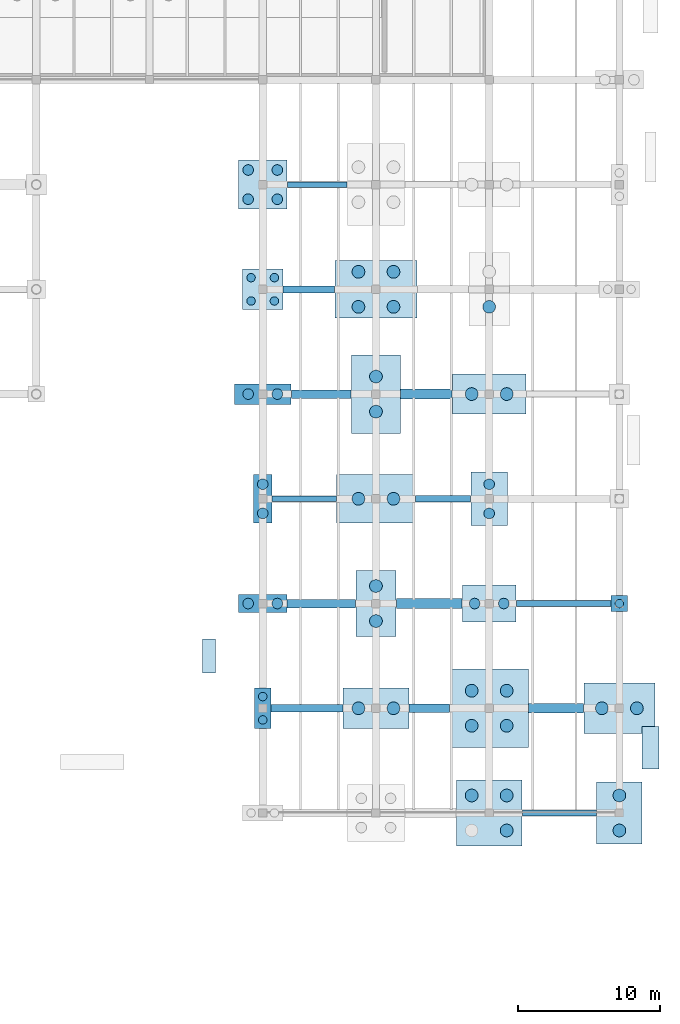
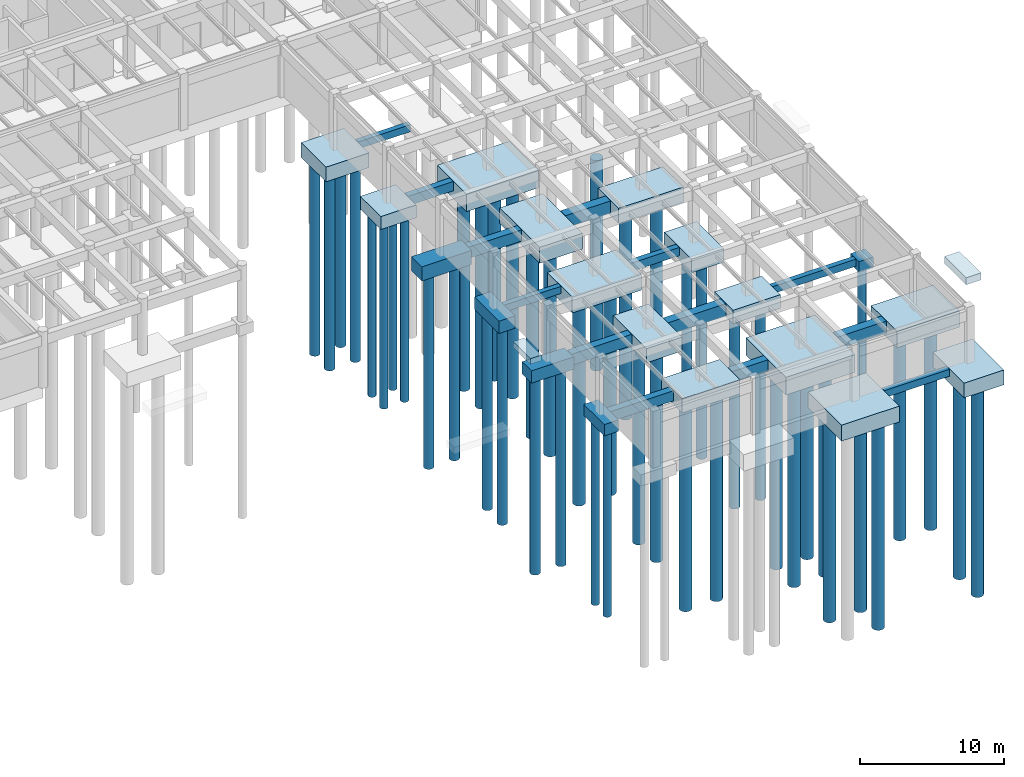
# One storey, part 6 of 40: 47 piles, 34 footings.
"""IFC4 building model written with IfcOpenShell, lengths in metres."""

import ifcopenshell
import ifcopenshell.guid

model = None  # the IFC model being written
_history = None  # IfcOwnerHistory: only IFC2X3 demands one
_inside = {}  # id of a spatial element -> (the spatial element, [elements in it])
_under = {}  # id of a project, library or spatial element -> (it, [spatial elements below it])
_declared = {}  # id of a project -> (the project, [libraries it declares])
_typed = {}  # id of a type object -> (the type object, [elements of that type])
_made_of = {}  # id of a material, layer set ... -> (it, [elements and type objects made of it])


def new_model(schema):
    """Start an empty IFC model of exactly this schema.

    Asked for "IFC4X3", IfcOpenShell would pick the latest addendum, in which some entities
    have other attributes; the version numbers below select the first issue.
    IFC2X3 requires an IfcOwnerHistory on every rooted entity: one is made here for all.
    """
    global model, _history
    if schema == "IFC4X3":
        model = ifcopenshell.file(schema_version=(4, 3, 0, 0))
    else:
        model = ifcopenshell.file(schema=schema)
    _inside.clear()
    _under.clear()
    _declared.clear()
    _typed.clear()
    _made_of.clear()
    _history = None
    if model.schema == "IFC2X3":
        org = make("IfcOrganization", Name="unknown")
        user = make(
            "IfcPersonAndOrganization",
            ThePerson=make("IfcPerson", FamilyName="unknown"),
            TheOrganization=org,
        )
        app = make(
            "IfcApplication",
            ApplicationDeveloper=org,
            Version="unknown",
            ApplicationFullName="unknown",
            ApplicationIdentifier="unknown",
        )
        _history = make(
            "IfcOwnerHistory",
            OwningUser=user,
            OwningApplication=app,
            ChangeAction="ADDED",
            CreationDate=0,
        )
    return model


def make(cls, **values):
    """One entity of the class cls with the attributes given. An attribute that is None is left unset."""
    return model.create_entity(
        cls, **{name: value for name, value in values.items() if value is not None}
    )


def rooted(cls, **values):
    """An entity with a GlobalId (a new one), such as an element, a storey or a relation."""
    return make(cls, GlobalId=ifcopenshell.guid.new(), OwnerHistory=_history, **values)


def si_unit(unit_type, name, prefix=None):
    """IfcSIUnit, for example si_unit("LENGTHUNIT", "METRE", prefix="MILLI")."""
    return make("IfcSIUnit", UnitType=unit_type, Prefix=prefix, Name=name)


def assignment(units):
    """IfcUnitAssignment: the units of a project."""
    return None if units is None else make("IfcUnitAssignment", Units=units)


def point(xyz):
    """IfcCartesianPoint."""
    return None if xyz is None else make("IfcCartesianPoint", Coordinates=xyz)


def direction(xyz):
    """IfcDirection."""
    return None if xyz is None else make("IfcDirection", DirectionRatios=xyz)


def frame(location, z_axis=None, x_axis=None):
    """IfcAxis2Placement3D, a coordinate frame: its origin and axes. An axis left out is left unset."""
    return make(
        "IfcAxis2Placement3D",
        Location=point(location),
        Axis=direction(z_axis),
        RefDirection=direction(x_axis),
    )


def frame_2d(location, x_axis=None):
    """IfcAxis2Placement2D, a coordinate frame in the plane: its origin and x axis."""
    return make(
        "IfcAxis2Placement2D", Location=point(location), RefDirection=direction(x_axis)
    )


def origin():
    """The frame at (0, 0, 0) with its axes left unset."""
    return frame((0.0, 0.0, 0.0))


def origin_2d():
    """The frame at (0, 0) in the plane with its x axis left unset."""
    return frame_2d((0.0, 0.0))


def place(relative_to, where):
    """IfcLocalPlacement: puts the frame where relative to a parent placement (None: the world)."""
    return make(
        "IfcLocalPlacement", PlacementRelTo=relative_to, RelativePlacement=where
    )


def context(
    kind, dimensions, precision=None, world=None, true_north=None, identifier=None
):
    """IfcGeometricRepresentationContext, for example the 3D "Model" context."""
    return make(
        "IfcGeometricRepresentationContext",
        ContextIdentifier=identifier,
        ContextType=kind,
        CoordinateSpaceDimension=dimensions,
        Precision=precision,
        WorldCoordinateSystem=world,
        TrueNorth=true_north,
    )


def subcontext(parent, identifier, kind, view, scale=None):
    """IfcGeometricRepresentationSubContext, for example "Body" below "Model"."""
    return make(
        "IfcGeometricRepresentationSubContext",
        ContextIdentifier=identifier,
        ContextType=kind,
        ParentContext=parent,
        TargetScale=scale,
        TargetView=view,
    )


def project(units=None, contexts=None):
    """IfcProject with its units and contexts."""
    return rooted(
        "IfcProject",
        Name="project",
        RepresentationContexts=contexts,
        UnitsInContext=assignment(units),
    )


def spatial(cls, under=None, at=None, **own):
    """A site, building, storey or space (cls), placed at a placement, below another one or the project."""
    s = rooted(cls, ObjectPlacement=at, **own)
    if under is not None:
        _under.setdefault(under.id(), (under, []))[1].append(s)
    return s


def polyline(points):
    """IfcPolyline through the points."""
    return make("IfcPolyline", Points=[point(p) for p in points])


def profile(cls, at=None, kind="AREA", **sizes):
    """A parametric profile (cls). Its sizes go by their IFC names, for example OverallWidth=200.0."""
    return make(cls, ProfileType=kind, Position=at, **sizes)


def rectangle(**sizes):
    """IfcRectangleProfileDef."""
    return profile("IfcRectangleProfileDef", **sizes)


def circle(**sizes):
    """IfcCircleProfileDef."""
    return profile("IfcCircleProfileDef", **sizes)


def outline(outer, holes=None, kind="AREA"):
    """IfcArbitraryClosedProfileDef: a profile drawn as a closed curve; with holes, ...WithVoids."""
    if holes is None:
        return make("IfcArbitraryClosedProfileDef", ProfileType=kind, OuterCurve=outer)
    return make(
        "IfcArbitraryProfileDefWithVoids",
        ProfileType=kind,
        OuterCurve=outer,
        InnerCurves=holes,
    )


def extrude(swept, where, along, depth):
    """IfcExtrudedAreaSolid: the profile swept, set in the frame where, extruded along a direction by depth."""
    return make(
        "IfcExtrudedAreaSolid",
        SweptArea=swept,
        Position=where,
        ExtrudedDirection=direction(along),
        Depth=depth,
    )


def shape(context_of_items, identifier, shape_type, items):
    """IfcShapeRepresentation: the items that make up one representation, for example the "Body"."""
    return make(
        "IfcShapeRepresentation",
        ContextOfItems=context_of_items,
        RepresentationIdentifier=identifier,
        RepresentationType=shape_type,
        Items=items,
    )


def material(Name=None, Category=None):
    """IfcMaterial."""
    return make("IfcMaterial", Name=Name, Category=Category)


def material_profile(
    of_material, cross_section, Name=None, Category=None, Priority=None
):
    """IfcMaterialProfile: a cross section and its material."""
    return make(
        "IfcMaterialProfile",
        Name=Name,
        Material=of_material,
        Profile=cross_section,
        Priority=Priority,
        Category=Category,
    )


def profile_set(profiles, Name=None, composite=None):
    """IfcMaterialProfileSet."""
    return make(
        "IfcMaterialProfileSet",
        Name=Name,
        MaterialProfiles=profiles,
        CompositeProfile=composite,
    )


def made_of(thing, what):
    """Note that an element or type object is made of a material, layer set ...; save() writes the relation."""
    if what is not None:
        _made_of.setdefault(what.id(), (what, []))[1].append(thing)
    return thing


def type_object(cls, material=None, **own):
    """A type object (cls), such as IfcWallType, which elements share."""
    return made_of(rooted(cls, **own), material)


def element(
    cls,
    number,
    at=None,
    inside=None,
    cuts=None,
    type_object=None,
    material=None,
    context=None,
    identifier="Body",
    shape_type=None,
    held_by="IfcProductDefinitionShape",
    body=None,
    shapes=None,
    **own,
):
    """One element of the class cls, such as IfcWall. Its Tag is "e" and its number.

    at: its placement. inside: the storey or other place that contains it. cuts: it is an
    opening in that element (IfcRelVoidsElement). A single representation is given by context,
    identifier, shape_type and body (its items); several are given by shapes. held_by: the class
    of the entity that holds the representations. save() writes the other relations.
    """
    e = rooted(cls, Tag="e%d" % number, ObjectPlacement=at, **own)
    if body is not None:
        shapes = [shape(context, identifier, shape_type, body)]
    if shapes is not None:
        e.Representation = make(held_by, Representations=shapes)
    if inside is not None:
        _inside.setdefault(inside.id(), (inside, []))[1].append(e)
    if cuts is not None:
        rooted(
            "IfcRelVoidsElement", RelatingBuildingElement=cuts, RelatedOpeningElement=e
        )
    if type_object is not None:
        _typed.setdefault(type_object.id(), (type_object, []))[1].append(e)
    return made_of(e, material)


def aggregate(whole, parts):
    """IfcRelAggregates: a whole, such as a stair, and the parts it consists of."""
    return rooted("IfcRelAggregates", RelatingObject=whole, RelatedObjects=parts)


def save(model, path):
    """Write the relations noted so far, then the file.

    IfcRelAggregates (storeys below a building ...), IfcRelContainedInSpatialStructure (elements
    in a storey), IfcRelDefinesByType, IfcRelAssociatesMaterial and IfcRelDeclares: one each for
    every whole, place, type object, material and project.
    """
    for whole, parts in _under.values():
        aggregate(whole, parts)
    for where, things in _inside.values():
        rooted(
            "IfcRelContainedInSpatialStructure",
            RelatedElements=things,
            RelatingStructure=where,
        )
    for kind, things in _typed.values():
        rooted("IfcRelDefinesByType", RelatedObjects=things, RelatingType=kind)
    for what, things in _made_of.values():
        rooted("IfcRelAssociatesMaterial", RelatedObjects=things, RelatingMaterial=what)
    for by, libraries in _declared.values():
        rooted("IfcRelDeclares", RelatingContext=by, RelatedDefinitions=libraries)
    model.write(path)


model = new_model("IFC4")

# Units and contexts
model_context = context("Model", 3, precision=1e-05, world=origin(), true_north=direction((0.0, 1.0)))
body_context = subcontext(model_context, "Body", "Model", "MODEL_VIEW")
ifc_project = project(units=[si_unit("LENGTHUNIT", "METRE"), si_unit("AREAUNIT", "SQUARE_METRE"), si_unit("VOLUMEUNIT", "CUBIC_METRE"), si_unit("PLANEANGLEUNIT", "RADIAN"), si_unit("MASSUNIT", "GRAM", prefix="KILO")], contexts=[model_context])

# Site, building, storey
site_placement = place(None, origin())
site = spatial("IfcSite", under=ifc_project, at=site_placement, CompositionType="ELEMENT")
building_placement = place(site_placement, origin())
building = spatial("IfcBuilding", under=site, at=building_placement, Name="Valkorina Park Police Headquarters", CompositionType="ELEMENT")
storey_placement = place(building_placement, frame((0.0, 0.0, -4.800048828125)))
storey = spatial("IfcBuildingStorey", under=building, at=storey_placement, Name="B01", CompositionType="ELEMENT", Elevation=-4.800048828125)

# Footings
ifc_material_1 = material(Name="Concrete C30/37", Category="concrete")
ifc_material_profile_1 = material_profile(ifc_material_1, rectangle(XDim=0.39990234375, YDim=0.60009765625, at=origin_2d()), Name="GB 400x600")
ifc_profile_set_1 = profile_set([ifc_material_profile_1], Name="Concrete C30/37")
footing_type_1 = type_object("IfcFootingType", Name="FT-GB-01", PredefinedType="FOOTING_BEAM", material=ifc_profile_set_1)
footing_1_placement = place(storey_placement, frame((0.0, 0.0, -0.599853515625)))
element("IfcFooting", 1, at=footing_1_placement, inside=storey, type_object=footing_type_1, Name="Pile Cap Tie Beam GB-01 #19", PredefinedType="FOOTING_BEAM", context=body_context, shape_type="SweptSolid", body=[
    extrude(outline(polyline([(160.3798828125, 7.199951171875), (160.3798828125, 7.60009765625), (155.14501953125, 7.60009765625), (155.14501953125, 7.199951171875), (160.3798828125, 7.199951171875)])), origin(), (0.0, 0.0, 1.0), 0.599853515625),
])
footing_2_placement = place(storey_placement, frame((0.0, 0.0, -0.599853515625)))
element("IfcFooting", 2, at=footing_2_placement, inside=storey, type_object=footing_type_1, Name="Pile Cap Tie Beam GB-01 #43", PredefinedType="FOOTING_BEAM", context=body_context, shape_type="SweptSolid", body=[
    extrude(outline(polyline([(161.405029296875, 22.0), (161.405029296875, 22.39990234375), (154.719970703125, 22.39990234375), (154.719970703125, 22.0), (161.405029296875, 22.0)])), origin(), (0.0, 0.0, 1.0), 0.599853515625),
])
footing_3_placement = place(storey_placement, frame((0.0, 0.0, -0.599853515625)))
element("IfcFooting", 3, at=footing_3_placement, inside=storey, type_object=footing_type_1, Name="Pile Cap Tie Beam GB-01 #49", PredefinedType="FOOTING_BEAM", context=body_context, shape_type="SweptSolid", body=[
    extrude(outline(polyline([(142.0048828125, 29.39990234375), (142.0048828125, 29.800048828125), (137.469970703125, 29.800048828125), (137.469970703125, 29.39990234375), (142.0048828125, 29.39990234375)])), origin(), (0.0, 0.0, 1.0), 0.599853515625),
])
footing_4_placement = place(storey_placement, frame((0.0, 0.0, -0.599853515625)))
element("IfcFooting", 4, at=footing_4_placement, inside=storey, type_object=footing_type_1, Name="Pile Cap Tie Beam GB-01 #61", PredefinedType="FOOTING_BEAM", context=body_context, shape_type="SweptSolid", body=[
    extrude(outline(polyline([(142.7548828125, 51.60009765625), (142.7548828125, 52.0), (138.544921875, 52.0), (138.544921875, 51.60009765625), (142.7548828125, 51.60009765625)])), origin(), (0.0, 0.0, 1.0), 0.599853515625),
])
ifc_material_profile_2 = material_profile(ifc_material_1, rectangle(XDim=0.449951171875, YDim=0.699951171875, at=origin_2d()), Name="GB 450x700")
ifc_profile_set_2 = profile_set([ifc_material_profile_2], Name="Concrete C30/37")
footing_type_2 = type_object("IfcFootingType", Name="FT-GB-02", PredefinedType="FOOTING_BEAM", material=ifc_profile_set_2)
footing_5_placement = place(storey_placement, frame((0.0, 0.0, -0.699951171875)))
element("IfcFooting", 5, at=footing_5_placement, inside=storey, type_object=footing_type_2, Name="Pile Cap Tie Beam GB-02 #50", PredefinedType="FOOTING_BEAM", context=body_context, shape_type="SweptSolid", body=[
    extrude(outline(polyline([(151.47998046875, 29.375), (151.47998046875, 29.824951171875), (147.594970703125, 29.824951171875), (147.594970703125, 29.375), (151.47998046875, 29.375)])), origin(), (0.0, 0.0, 1.0), 0.699951171875),
])
ifc_material_profile_3 = material_profile(ifc_material_1, rectangle(XDim=0.5, YDim=0.800048828125, at=origin_2d()), Name="GB 500x800")
ifc_profile_set_3 = profile_set([ifc_material_profile_3], Name="Concrete C30/37")
footing_type_3 = type_object("IfcFootingType", Name="FT-GB-03", PredefinedType="FOOTING_BEAM", material=ifc_profile_set_3)
footing_6_placement = place(storey_placement, frame((0.0, 0.0, -0.800048828125)))
element("IfcFooting", 6, at=footing_6_placement, inside=storey, type_object=footing_type_3, Name="Pile Cap Tie Beam GB-03 #57", PredefinedType="FOOTING_BEAM", context=body_context, shape_type="SweptSolid", body=[
    extrude(outline(polyline([(141.8798828125, 44.14990234375), (141.8798828125, 44.64990234375), (138.2451171875, 44.64990234375), (138.2451171875, 44.14990234375), (141.8798828125, 44.14990234375)])), origin(), (0.0, 0.0, 1.0), 0.800048828125),
])
ifc_material_2 = material(Name="Concrete C35/45", Category="concrete")
ifc_material_profile_4 = material_profile(ifc_material_2, rectangle(XDim=0.550048828125, YDim=0.85009765625, at=origin_2d()), Name="GB 550x850")
ifc_profile_set_4 = profile_set([ifc_material_profile_4], Name="Concrete C35/45")
footing_type_4 = type_object("IfcFootingType", Name="FT-GB-04", PredefinedType="FOOTING_BEAM", material=ifc_profile_set_4)
footing_7_placement = place(storey_placement, frame((0.0, 0.0, -0.849853515625)))
element("IfcFooting", 7, at=footing_7_placement, inside=storey, type_object=footing_type_4, Name="Pile Cap Tie Beam GB-04 #28", PredefinedType="FOOTING_BEAM", context=body_context, shape_type="SweptSolid", body=[
    extrude(outline(polyline([(142.455078125, 14.52490234375), (142.455078125, 15.074951171875), (137.39501953125, 15.074951171875), (137.39501953125, 14.52490234375), (142.455078125, 14.52490234375)])), origin(), (0.0, 0.0, 1.0), 0.849853515625),
])
ifc_material_profile_5 = material_profile(ifc_material_2, rectangle(XDim=0.60009765625, YDim=0.949951171875, at=origin_2d()), Name="GB 600x950")
ifc_profile_set_5 = profile_set([ifc_material_profile_5], Name="Concrete C35/45")
footing_type_5 = type_object("IfcFootingType", Name="FT-GB-05", PredefinedType="FOOTING_BEAM", material=ifc_profile_set_5)
footing_8_placement = place(storey_placement, frame((0.0, 0.0, -0.949951171875)))
element("IfcFooting", 8, at=footing_8_placement, inside=storey, type_object=footing_type_5, Name="Pile Cap Tie Beam GB-05 #29", PredefinedType="FOOTING_BEAM", context=body_context, shape_type="SweptSolid", body=[
    extrude(outline(polyline([(150.0048828125, 14.5), (150.0048828125, 15.10009765625), (147.14501953125, 15.10009765625), (147.14501953125, 14.5), (150.0048828125, 14.5)])), origin(), (0.0, 0.0, 1.0), 0.949951171875),
])
footing_9_placement = place(storey_placement, frame((0.0, 0.0, -0.949951171875)))
element("IfcFooting", 9, at=footing_9_placement, inside=storey, type_object=footing_type_5, Name="Pile Cap Tie Beam GB-05 #41", PredefinedType="FOOTING_BEAM", context=body_context, shape_type="SweptSolid", body=[
    extrude(outline(polyline([(143.35498046875, 21.89990234375), (143.35498046875, 22.5), (138.52001953125, 22.5), (138.52001953125, 21.89990234375), (143.35498046875, 21.89990234375)])), origin(), (0.0, 0.0, 1.0), 0.949951171875),
])
footing_10_placement = place(storey_placement, frame((0.0, 0.0, -0.949951171875)))
element("IfcFooting", 10, at=footing_10_placement, inside=storey, type_object=footing_type_5, Name="Pile Cap Tie Beam GB-05 #53", PredefinedType="FOOTING_BEAM", context=body_context, shape_type="SweptSolid", body=[
    extrude(outline(polyline([(143.054931640625, 36.699951171875), (143.054931640625, 37.300048828125), (138.820068359375, 37.300048828125), (138.820068359375, 36.699951171875), (143.054931640625, 36.699951171875)])), origin(), (0.0, 0.0, 1.0), 0.949951171875),
])
ifc_material_profile_6 = material_profile(ifc_material_2, rectangle(XDim=0.699951171875, YDim=1.050048828125, at=origin_2d()), Name="GB 700x1050")
ifc_profile_set_6 = profile_set([ifc_material_profile_6], Name="Concrete C35/45")
footing_type_6 = type_object("IfcFootingType", Name="FT-GB-06", PredefinedType="FOOTING_BEAM", material=ifc_profile_set_6)
footing_11_placement = place(storey_placement, frame((0.0, 0.0, -1.050048828125)))
element("IfcFooting", 11, at=footing_11_placement, inside=storey, type_object=footing_type_6, Name="Pile Cap Tie Beam GB-06 #30", PredefinedType="FOOTING_BEAM", context=body_context, shape_type="SweptSolid", body=[
    extrude(outline(polyline([(159.47998046875, 14.449951171875), (159.47998046875, 15.14990234375), (155.594970703125, 15.14990234375), (155.594970703125, 14.449951171875), (159.47998046875, 14.449951171875)])), origin(), (0.0, 0.0, 1.0), 1.050048828125),
])
footing_12_placement = place(storey_placement, frame((0.0, 0.0, -1.050048828125)))
element("IfcFooting", 12, at=footing_12_placement, inside=storey, type_object=footing_type_6, Name="Pile Cap Tie Beam GB-06 #42", PredefinedType="FOOTING_BEAM", context=body_context, shape_type="SweptSolid", body=[
    extrude(outline(polyline([(150.8798828125, 21.85009765625), (150.8798828125, 22.550048828125), (146.2451171875, 22.550048828125), (146.2451171875, 21.85009765625), (150.8798828125, 21.85009765625)])), origin(), (0.0, 0.0, 1.0), 1.050048828125),
])
footing_13_placement = place(storey_placement, frame((0.0, 0.0, -1.050048828125)))
element("IfcFooting", 13, at=footing_13_placement, inside=storey, type_object=footing_type_6, Name="Pile Cap Tie Beam GB-06 #54", PredefinedType="FOOTING_BEAM", context=body_context, shape_type="SweptSolid", body=[
    extrude(outline(polyline([(150.179931640625, 36.64990234375), (150.179931640625, 37.35009765625), (146.544921875, 37.35009765625), (146.544921875, 36.64990234375), (150.179931640625, 36.64990234375)])), origin(), (0.0, 0.0, 1.0), 1.050048828125),
])
ifc_material_3 = material(Name="Concrete C40/50", Category="concrete")
footing_type_7 = type_object("IfcFootingType", Name="FT-PC-01", PredefinedType="PILE_CAP", material=ifc_material_3)
footing_14_placement = place(storey_placement, frame((162.0, 22.199951171875, -0.89990234375), z_axis=(0.0, 0.0, 1.0), x_axis=(1.0, 0.0, 0.0)))
element("IfcFooting", 14, at=footing_14_placement, inside=storey, type_object=footing_type_7, Name="Pile Cap PC-01 #79", PredefinedType="PILE_CAP", context=body_context, shape_type="SweptSolid", body=[
    extrude(rectangle(XDim=1.14990234375, YDim=1.14990234375, at=origin_2d()), origin(), (0.0, 0.0, 1.0), 0.89990234375),
])
footing_type_8 = type_object("IfcFootingType", Name="FT-PC-05", PredefinedType="PILE_CAP", material=ifc_material_3)
footing_15_placement = place(storey_placement, frame((136.800048828125, 14.800048828125, -0.94970703125), z_axis=(0.0, 0.0, 1.0), x_axis=(1.0, 0.0, 0.0)))
element("IfcFooting", 15, at=footing_15_placement, inside=storey, type_object=footing_type_8, Name="Pile Cap PC-05 #57", PredefinedType="PILE_CAP", context=body_context, shape_type="SweptSolid", body=[
    extrude(rectangle(XDim=1.14990234375, YDim=2.85009765625, at=origin_2d()), origin(), (0.0, 0.0, 1.0), 0.949951171875),
])
footing_type_9 = type_object("IfcFootingType", Name="FT-PC-06", PredefinedType="PILE_CAP", material=ifc_material_3)
footing_16_placement = place(storey_placement, frame((136.800048828125, 22.199951171875, -1.0498046875), z_axis=(0.0, 0.0, 1.0), x_axis=(1.0, 0.0, 0.0)))
element("IfcFooting", 16, at=footing_16_placement, inside=storey, type_object=footing_type_9, Name="Pile Cap PC-06 #58", PredefinedType="PILE_CAP", context=body_context, shape_type="SweptSolid", body=[
    extrude(rectangle(XDim=3.39990234375, YDim=1.300048828125, at=origin_2d()), origin(), (0.0, 0.0, 1.0), 1.050048828125),
])
footing_type_10 = type_object("IfcFootingType", Name="FT-PC-07", PredefinedType="PILE_CAP", material=ifc_material_3)
footing_17_placement = place(storey_placement, frame((136.800048828125, 29.60009765625, -1.0498046875), z_axis=(0.0, 0.0, 1.0), x_axis=(1.0, 0.0, 0.0)))
element("IfcFooting", 17, at=footing_17_placement, inside=storey, type_object=footing_type_10, Name="Pile Cap PC-07 #59", PredefinedType="PILE_CAP", context=body_context, shape_type="SweptSolid", body=[
    extrude(rectangle(XDim=1.300048828125, YDim=3.39990234375, at=origin_2d()), origin(), (0.0, 0.0, 1.0), 1.050048828125),
])
footing_type_11 = type_object("IfcFootingType", Name="FT-PC-08", PredefinedType="PILE_CAP", material=ifc_material_3)
footing_18_placement = place(storey_placement, frame((136.800048828125, 37.0, -1.19970703125), z_axis=(0.0, 0.0, 1.0), x_axis=(1.0, 0.0, 0.0)))
element("IfcFooting", 18, at=footing_18_placement, inside=storey, type_object=footing_type_11, Name="Pile Cap PC-08 #60", PredefinedType="PILE_CAP", context=body_context, shape_type="SweptSolid", body=[
    extrude(rectangle(XDim=4.0, YDim=1.449951171875, at=origin_2d()), origin(), (0.0, 0.0, 1.0), 1.199951171875),
])
footing_type_12 = type_object("IfcFootingType", Name="FT-PC-09", PredefinedType="PILE_CAP", material=ifc_material_3)
footing_19_placement = place(storey_placement, frame((136.800048828125, 44.39990234375, -1.10009765625), z_axis=(0.0, 0.0, 1.0), x_axis=(1.0, 0.0, 0.0)))
element("IfcFooting", 19, at=footing_19_placement, inside=storey, type_object=footing_type_12, Name="Pile Cap PC-09 #61", PredefinedType="PILE_CAP", context=body_context, shape_type="SweptSolid", body=[
    extrude(rectangle(XDim=2.85009765625, YDim=2.85009765625, at=origin_2d()), origin(), (0.0, 0.0, 1.0), 1.10009765625),
])
footing_type_13 = type_object("IfcFootingType", Name="FT-PC-10", PredefinedType="PILE_CAP", material=ifc_material_3)
footing_20_placement = place(storey_placement, frame((136.800048828125, 51.800048828125, -1.25), z_axis=(0.0, 0.0, 1.0), x_axis=(1.0, 0.0, 0.0)))
element("IfcFooting", 20, at=footing_20_placement, inside=storey, type_object=footing_type_13, Name="Pile Cap PC-10 #62", PredefinedType="PILE_CAP", context=body_context, shape_type="SweptSolid", body=[
    extrude(rectangle(XDim=3.449951171875, YDim=3.449951171875, at=origin_2d()), origin(), (0.0, 0.0, 1.0), 1.25),
])
footing_type_14 = type_object("IfcFootingType", Name="FT-PC-12", PredefinedType="PILE_CAP", material=ifc_material_3)
footing_21_placement = place(storey_placement, frame((144.800048828125, 14.800048828125, -1.19970703125), z_axis=(0.0, 0.0, 1.0), x_axis=(1.0, 0.0, 0.0)))
element("IfcFooting", 21, at=footing_21_placement, inside=storey, type_object=footing_type_14, Name="Pile Cap PC-12 #64", PredefinedType="PILE_CAP", context=body_context, shape_type="SweptSolid", body=[
    extrude(rectangle(XDim=4.64990234375, YDim=2.85009765625, at=origin_2d()), origin(), (0.0, 0.0, 1.0), 1.199951171875),
])
footing_type_15 = type_object("IfcFootingType", Name="FT-PC-13", PredefinedType="PILE_CAP", material=ifc_material_3)
footing_22_placement = place(storey_placement, frame((144.800048828125, 22.199951171875, -1.19970703125), z_axis=(0.0, 0.0, 1.0), x_axis=(1.0, 0.0, 0.0)))
element("IfcFooting", 22, at=footing_22_placement, inside=storey, type_object=footing_type_15, Name="Pile Cap PC-13 #65", PredefinedType="PILE_CAP", context=body_context, shape_type="SweptSolid", body=[
    extrude(rectangle(XDim=2.85009765625, YDim=4.64990234375, at=origin_2d()), origin(), (0.0, 0.0, 1.0), 1.199951171875),
])
footing_type_16 = type_object("IfcFootingType", Name="FT-PC-14", PredefinedType="PILE_CAP", material=ifc_material_3)
footing_23_placement = place(storey_placement, frame((144.800048828125, 29.60009765625, -1.35009765625), z_axis=(0.0, 0.0, 1.0), x_axis=(1.0, 0.0, 0.0)))
element("IfcFooting", 23, at=footing_23_placement, inside=storey, type_object=footing_type_16, Name="Pile Cap PC-14 #66", PredefinedType="PILE_CAP", context=body_context, shape_type="SweptSolid", body=[
    extrude(rectangle(XDim=5.550048828125, YDim=3.449951171875, at=origin_2d()), origin(), (0.0, 0.0, 1.0), 1.35009765625),
])
footing_type_17 = type_object("IfcFootingType", Name="FT-PC-15", PredefinedType="PILE_CAP", material=ifc_material_3)
footing_24_placement = place(storey_placement, frame((144.800048828125, 37.0, -1.35009765625), z_axis=(0.0, 0.0, 1.0), x_axis=(1.0, 0.0, 0.0)))
element("IfcFooting", 24, at=footing_24_placement, inside=storey, type_object=footing_type_17, Name="Pile Cap PC-15 #67", PredefinedType="PILE_CAP", context=body_context, shape_type="SweptSolid", body=[
    extrude(rectangle(XDim=3.449951171875, YDim=5.550048828125, at=origin_2d()), origin(), (0.0, 0.0, 1.0), 1.35009765625),
])
footing_type_18 = type_object("IfcFootingType", Name="FT-PC-16", PredefinedType="PILE_CAP", material=ifc_material_3)
footing_25_placement = place(storey_placement, frame((144.800048828125, 44.39990234375, -1.5), z_axis=(0.0, 0.0, 1.0), x_axis=(1.0, 0.0, 0.0)))
element("IfcFooting", 25, at=footing_25_placement, inside=storey, type_object=footing_type_18, Name="Pile Cap PC-16 #68", PredefinedType="PILE_CAP", context=body_context, shape_type="SweptSolid", body=[
    extrude(rectangle(XDim=5.800048828125, YDim=4.050048828125, at=origin_2d()), origin(), (0.0, 0.0, 1.0), 1.5),
])
footing_type_19 = type_object("IfcFootingType", Name="FT-PC-18", PredefinedType="PILE_CAP", material=ifc_material_3)
footing_26_placement = place(storey_placement, frame((152.800048828125, 7.39990234375, -1.35009765625), z_axis=(0.0, 0.0, 1.0), x_axis=(1.0, 0.0, 0.0)))
element("IfcFooting", 26, at=footing_26_placement, inside=storey, type_object=footing_type_19, Name="Pile Cap PC-18 #70", PredefinedType="PILE_CAP", context=body_context, shape_type="SweptSolid", body=[
    extrude(rectangle(XDim=4.64990234375, YDim=4.64990234375, at=origin_2d()), origin(), (0.0, 0.0, 1.0), 1.35009765625),
])
footing_type_20 = type_object("IfcFootingType", Name="FT-PC-19", PredefinedType="PILE_CAP", material=ifc_material_3)
footing_27_placement = place(storey_placement, frame((152.800048828125, 14.800048828125, -1.5), z_axis=(0.0, 0.0, 1.0), x_axis=(1.0, 0.0, 0.0)))
element("IfcFooting", 27, at=footing_27_placement, inside=storey, type_object=footing_type_20, Name="Pile Cap PC-19 #71", PredefinedType="PILE_CAP", context=body_context, shape_type="SweptSolid", body=[
    extrude(rectangle(XDim=5.550048828125, YDim=5.550048828125, at=origin_2d()), origin(), (0.0, 0.0, 1.0), 1.5),
])
footing_type_21 = type_object("IfcFootingType", Name="FT-PC-20", PredefinedType="PILE_CAP", material=ifc_material_3)
footing_28_placement = place(storey_placement, frame((152.800048828125, 22.199951171875, -1.14990234375), z_axis=(0.0, 0.0, 1.0), x_axis=(1.0, 0.0, 0.0)))
element("IfcFooting", 28, at=footing_28_placement, inside=storey, type_object=footing_type_21, Name="Pile Cap PC-20 #72", PredefinedType="PILE_CAP", context=body_context, shape_type="SweptSolid", body=[
    extrude(rectangle(XDim=3.800048828125, YDim=2.60009765625, at=origin_2d()), origin(), (0.0, 0.0, 1.0), 1.14990234375),
])
footing_type_22 = type_object("IfcFootingType", Name="FT-PC-21", PredefinedType="PILE_CAP", material=ifc_material_3)
footing_29_placement = place(storey_placement, frame((152.800048828125, 29.60009765625, -1.14990234375), z_axis=(0.0, 0.0, 1.0), x_axis=(1.0, 0.0, 0.0)))
element("IfcFooting", 29, at=footing_29_placement, inside=storey, type_object=footing_type_22, Name="Pile Cap PC-21 #73", PredefinedType="PILE_CAP", context=body_context, shape_type="SweptSolid", body=[
    extrude(rectangle(XDim=2.60009765625, YDim=3.800048828125, at=origin_2d()), origin(), (0.0, 0.0, 1.0), 1.14990234375),
])
footing_type_23 = type_object("IfcFootingType", Name="FT-PC-22", PredefinedType="PILE_CAP", material=ifc_material_3)
footing_30_placement = place(storey_placement, frame((152.800048828125, 37.0, -1.2998046875), z_axis=(0.0, 0.0, 1.0), x_axis=(1.0, 0.0, 0.0)))
element("IfcFooting", 30, at=footing_30_placement, inside=storey, type_object=footing_type_23, Name="Pile Cap PC-22 #74", PredefinedType="PILE_CAP", context=body_context, shape_type="SweptSolid", body=[
    extrude(rectangle(XDim=5.199951171875, YDim=2.85009765625, at=origin_2d()), origin(), (0.0, 0.0, 1.0), 1.300048828125),
])
footing_type_24 = type_object("IfcFootingType", Name="FT-PC-25", PredefinedType="PILE_CAP", material=ifc_material_3)
footing_31_placement = place(storey_placement, frame((162.0, 7.39990234375, -1.25), z_axis=(0.0, 0.0, 1.0), x_axis=(1.0, 0.0, 0.0)))
element("IfcFooting", 31, at=footing_31_placement, inside=storey, type_object=footing_type_24, Name="Pile Cap PC-25 #77", PredefinedType="PILE_CAP", context=body_context, shape_type="SweptSolid", body=[
    extrude(rectangle(XDim=3.199951171875, YDim=4.35009765625, at=origin_2d()), origin(), (0.0, 0.0, 1.0), 1.25),
])
footing_type_25 = type_object("IfcFootingType", Name="FT-PC-26", PredefinedType="PILE_CAP", material=ifc_material_3)
footing_32_placement = place(storey_placement, frame((162.0, 14.800048828125, -1.39990234375), z_axis=(0.0, 0.0, 1.0), x_axis=(1.0, 0.0, 0.0)))
element("IfcFooting", 32, at=footing_32_placement, inside=storey, type_object=footing_type_25, Name="Pile Cap PC-26 #78", PredefinedType="PILE_CAP", context=body_context, shape_type="SweptSolid", body=[
    extrude(rectangle(XDim=5.0, YDim=3.60009765625, at=origin_2d()), origin(), (0.0, 0.0, 1.0), 1.39990234375),
])
ifc_material_profile_7 = material_profile(ifc_material_2, rectangle(XDim=0.89990234375, YDim=0.5, at=origin_2d()), Name="SF 900x500")
ifc_profile_set_7 = profile_set([ifc_material_profile_7], Name="Concrete C35/45")
footing_type_26 = type_object("IfcFootingType", Name="FT-SF-02", PredefinedType="STRIP_FOOTING", material=ifc_profile_set_7)
footing_33_placement = place(storey_placement, frame((0.0, 0.0, 4.010009765625)))
element("IfcFooting", 33, at=footing_33_placement, inside=storey, type_object=footing_type_26, Name="Ramp Bearing Strip Footing SF-02 #34", PredefinedType="STRIP_FOOTING", context=body_context, shape_type="SweptSolid", body=[
    extrude(outline(polyline([(133.449951171875, 17.300048828125), (133.449951171875, 19.699951171875), (132.550048828125, 19.699951171875), (132.550048828125, 17.300048828125), (133.449951171875, 17.300048828125)])), origin(), (0.0, 0.0, 1.0), 0.5),
])
ifc_material_profile_8 = material_profile(ifc_material_2, rectangle(XDim=1.199951171875, YDim=0.60009765625, at=origin_2d()), Name="SF 1200x600")
ifc_profile_set_8 = profile_set([ifc_material_profile_8], Name="Concrete C35/45")
footing_type_27 = type_object("IfcFootingType", Name="FT-SF-04", PredefinedType="STRIP_FOOTING", material=ifc_profile_set_8)
footing_34_placement = place(storey_placement, frame((0.0, 0.0, 4.02001953125)))
element("IfcFooting", 34, at=footing_34_placement, inside=storey, type_object=footing_type_27, Name="Grade Apron Strip Footing SF-04 #24", PredefinedType="STRIP_FOOTING", context=body_context, shape_type="SweptSolid", body=[
    extrude(outline(polyline([(164.800048828125, 10.5), (164.800048828125, 13.5), (163.60009765625, 13.5), (163.60009765625, 10.5), (164.800048828125, 10.5)])), origin(), (0.0, 0.0, 1.0), 0.60009765625),
])

# Piles
ifc_material_profile_9 = material_profile(ifc_material_1, circle(Radius=0.300048828125, at=origin_2d()), Name="BORED PILE D600")
ifc_profile_set_9 = profile_set([ifc_material_profile_9], Name="Concrete C30/37")
pile_type_1 = type_object("IfcPileType", Name="PL-BORED-D600", PredefinedType="BORED", material=ifc_profile_set_9)
for number, where, z_axis, x_axis, name in (
    (35, (136.800048828125, 13.97509765625, -0.800048828125), (0.0, 0.0, -1.0), (1.0, 0.0, 0.0), "Bored Pile 0486 (Cap PC-05)"),
    (36, (136.800048828125, 15.625, -0.800048828125), (0.0, 0.0, -1.0), (1.0, 0.0, 0.0), "Bored Pile 0487 (Cap PC-05)"),
):
    element("IfcPile", number, at=place(storey_placement, frame(where, z_axis=z_axis, x_axis=x_axis)), inside=storey, type_object=pile_type_1, Name=name, PredefinedType="BORED", context=body_context, shape_type="SweptSolid", body=[
        extrude(circle(Radius=0.300048828125, at=origin_2d()), origin(), (0.0, 0.0, 1.0), 15.89990234375),
    ])
for number, where, z_axis, x_axis, name in (
    (37, (135.97509765625, 43.574951171875, -0.949951171875), (0.0, 0.0, -1.0), (1.0, 0.0, 0.0), "Bored Pile 0494 (Cap PC-09)"),
    (38, (135.97509765625, 45.22509765625, -0.949951171875), (0.0, 0.0, -1.0), (1.0, 0.0, 0.0), "Bored Pile 0495 (Cap PC-09)"),
    (39, (137.625, 43.574951171875, -0.949951171875), (0.0, 0.0, -1.0), (1.0, 0.0, 0.0), "Bored Pile 0496 (Cap PC-09)"),
    (40, (137.625, 45.22509765625, -0.949951171875), (0.0, 0.0, -1.0), (1.0, 0.0, 0.0), "Bored Pile 0497 (Cap PC-09)"),
):
    element("IfcPile", number, at=place(storey_placement, frame(where, z_axis=z_axis, x_axis=x_axis)), inside=storey, type_object=pile_type_1, Name=name, PredefinedType="BORED", context=body_context, shape_type="SweptSolid", body=[
        extrude(circle(Radius=0.300048828125, at=origin_2d()), origin(), (0.0, 0.0, 1.0), 15.75),
    ])
pile_placement = place(storey_placement, frame((162.0, 22.199951171875, -0.75), z_axis=(0.0, 0.0, -1.0), x_axis=(1.0, 0.0, 0.0)))
element("IfcPile", 41, at=pile_placement, inside=storey, type_object=pile_type_1, Name="Bored Pile 0544 (Cap PC-01)", PredefinedType="BORED", context=body_context, shape_type="SweptSolid", body=[
    extrude(circle(Radius=0.300048828125, at=origin_2d()), origin(), (0.0, 0.0, 1.0), 15.949951171875),
])
ifc_material_profile_10 = material_profile(ifc_material_1, circle(Radius=0.375, at=origin_2d()), Name="BORED PILE D750")
ifc_profile_set_10 = profile_set([ifc_material_profile_10], Name="Concrete C30/37")
pile_type_2 = type_object("IfcPileType", Name="PL-BORED-D750", PredefinedType="BORED", material=ifc_profile_set_10)
for number, where, z_axis, x_axis, name in (
    (42, (135.768798828125, 22.199951171875, -0.89990234375), (0.0, 0.0, -1.0), (1.0, 0.0, 0.0), "Bored Pile 0488 (Cap PC-06)"),
    (43, (137.831298828125, 22.199951171875, -0.89990234375), (0.0, 0.0, -1.0), (1.0, 0.0, 0.0), "Bored Pile 0489 (Cap PC-06)"),
    (44, (136.800048828125, 28.56884765625, -0.89990234375), (0.0, 0.0, -1.0), (1.0, 0.0, 0.0), "Bored Pile 0490 (Cap PC-07)"),
    (45, (136.800048828125, 30.63134765625, -0.89990234375), (0.0, 0.0, -1.0), (1.0, 0.0, 0.0), "Bored Pile 0491 (Cap PC-07)"),
):
    element("IfcPile", number, at=place(storey_placement, frame(where, z_axis=z_axis, x_axis=x_axis)), inside=storey, type_object=pile_type_2, Name=name, PredefinedType="BORED", context=body_context, shape_type="SweptSolid", body=[
        extrude(circle(Radius=0.375, at=origin_2d()), origin(), (0.0, 0.0, 1.0), 16.800048828125),
    ])
for number, where, z_axis, x_axis, name in (
    (46, (135.768798828125, 37.0, -1.050048828125), (0.0, 0.0, -1.0), (1.0, 0.0, 0.0), "Bored Pile 0492 (Cap PC-08)"),
    (47, (137.831298828125, 37.0, -1.050048828125), (0.0, 0.0, -1.0), (1.0, 0.0, 0.0), "Bored Pile 0493 (Cap PC-08)"),
):
    element("IfcPile", number, at=place(storey_placement, frame(where, z_axis=z_axis, x_axis=x_axis)), inside=storey, type_object=pile_type_2, Name=name, PredefinedType="BORED", context=body_context, shape_type="SweptSolid", body=[
        extrude(circle(Radius=0.375, at=origin_2d()), origin(), (0.0, 0.0, 1.0), 16.64990234375),
    ])
for number, where, z_axis, x_axis, name in (
    (48, (135.768798828125, 50.768798828125, -1.099853515625), (0.0, 0.0, -1.0), (1.0, 0.0, 0.0), "Bored Pile 0498 (Cap PC-10)"),
    (49, (135.768798828125, 52.831298828125, -1.099853515625), (0.0, 0.0, -1.0), (1.0, 0.0, 0.0), "Bored Pile 0499 (Cap PC-10)"),
    (50, (137.831298828125, 50.768798828125, -1.099853515625), (0.0, 0.0, -1.0), (1.0, 0.0, 0.0), "Bored Pile 0500 (Cap PC-10)"),
    (51, (137.831298828125, 52.831298828125, -1.099853515625), (0.0, 0.0, -1.0), (1.0, 0.0, 0.0), "Bored Pile 0501 (Cap PC-10)"),
):
    element("IfcPile", number, at=place(storey_placement, frame(where, z_axis=z_axis, x_axis=x_axis)), inside=storey, type_object=pile_type_2, Name=name, PredefinedType="BORED", context=body_context, shape_type="SweptSolid", body=[
        extrude(circle(Radius=0.375, at=origin_2d()), origin(), (0.0, 0.0, 1.0), 16.60009765625),
    ])
for number, where, z_axis, x_axis, name in (
    (52, (151.768798828125, 22.199951171875, -1.0), (0.0, 0.0, -1.0), (1.0, 0.0, 0.0), "Bored Pile 0530 (Cap PC-20)"),
    (53, (153.831298828125, 22.199951171875, -1.0), (0.0, 0.0, -1.0), (1.0, 0.0, 0.0), "Bored Pile 0531 (Cap PC-20)"),
    (54, (152.800048828125, 28.56884765625, -1.0), (0.0, 0.0, -1.0), (1.0, 0.0, 0.0), "Bored Pile 0532 (Cap PC-21)"),
    (55, (152.800048828125, 30.63134765625, -1.0), (0.0, 0.0, -1.0), (1.0, 0.0, 0.0), "Bored Pile 0533 (Cap PC-21)"),
):
    element("IfcPile", number, at=place(storey_placement, frame(where, z_axis=z_axis, x_axis=x_axis)), inside=storey, type_object=pile_type_2, Name=name, PredefinedType="BORED", context=body_context, shape_type="SweptSolid", body=[
        extrude(circle(Radius=0.375, at=origin_2d()), origin(), (0.0, 0.0, 1.0), 16.699951171875),
    ])
ifc_material_profile_11 = material_profile(ifc_material_2, circle(Radius=0.449951171875, at=origin_2d()), Name="BORED PILE D900")
ifc_profile_set_11 = profile_set([ifc_material_profile_11], Name="Concrete C35/45")
pile_type_3 = type_object("IfcPileType", Name="PL-BORED-D900", PredefinedType="BORED", material=ifc_profile_set_11)
for number, where, z_axis, x_axis, name in (
    (56, (143.5625, 14.800048828125, -1.050048828125), (0.0, 0.0, -1.0), (1.0, 0.0, 0.0), "Bored Pile 0506 (Cap PC-12)"),
    (57, (146.03759765625, 14.800048828125, -1.050048828125), (0.0, 0.0, -1.0), (1.0, 0.0, 0.0), "Bored Pile 0507 (Cap PC-12)"),
    (58, (144.800048828125, 20.96240234375, -1.050048828125), (0.0, 0.0, -1.0), (1.0, 0.0, 0.0), "Bored Pile 0508 (Cap PC-13)"),
    (59, (144.800048828125, 23.4375, -1.050048828125), (0.0, 0.0, -1.0), (1.0, 0.0, 0.0), "Bored Pile 0509 (Cap PC-13)"),
):
    element("IfcPile", number, at=place(storey_placement, frame(where, z_axis=z_axis, x_axis=x_axis)), inside=storey, type_object=pile_type_3, Name=name, PredefinedType="BORED", context=body_context, shape_type="SweptSolid", body=[
        extrude(circle(Radius=0.449951171875, at=origin_2d()), origin(), (0.0, 0.0, 1.0), 17.949951171875),
    ])
for number, where, z_axis, x_axis, name in (
    (60, (143.5625, 29.60009765625, -1.199951171875), (0.0, 0.0, -1.0), (1.0, 0.0, 0.0), "Bored Pile 0510 (Cap PC-14)"),
    (61, (146.03759765625, 29.60009765625, -1.199951171875), (0.0, 0.0, -1.0), (1.0, 0.0, 0.0), "Bored Pile 0511 (Cap PC-14)"),
    (62, (144.800048828125, 35.762451171875, -1.199951171875), (0.0, 0.0, -1.0), (1.0, 0.0, 0.0), "Bored Pile 0512 (Cap PC-15)"),
    (63, (144.800048828125, 38.237548828125, -1.199951171875), (0.0, 0.0, -1.0), (1.0, 0.0, 0.0), "Bored Pile 0513 (Cap PC-15)"),
):
    element("IfcPile", number, at=place(storey_placement, frame(where, z_axis=z_axis, x_axis=x_axis)), inside=storey, type_object=pile_type_3, Name=name, PredefinedType="BORED", context=body_context, shape_type="SweptSolid", body=[
        extrude(circle(Radius=0.449951171875, at=origin_2d()), origin(), (0.0, 0.0, 1.0), 17.800048828125),
    ])
for number, where, z_axis, x_axis, name in (
    (64, (143.5625, 43.16259765625, -1.349853515625), (0.0, 0.0, -1.0), (1.0, 0.0, 0.0), "Bored Pile 0514 (Cap PC-16)"),
    (65, (143.5625, 45.637451171875, -1.349853515625), (0.0, 0.0, -1.0), (1.0, 0.0, 0.0), "Bored Pile 0515 (Cap PC-16)"),
    (66, (146.03759765625, 43.16259765625, -1.349853515625), (0.0, 0.0, -1.0), (1.0, 0.0, 0.0), "Bored Pile 0516 (Cap PC-16)"),
    (67, (146.03759765625, 45.637451171875, -1.349853515625), (0.0, 0.0, -1.0), (1.0, 0.0, 0.0), "Bored Pile 0517 (Cap PC-16)"),
):
    element("IfcPile", number, at=place(storey_placement, frame(where, z_axis=z_axis, x_axis=x_axis)), inside=storey, type_object=pile_type_3, Name=name, PredefinedType="BORED", context=body_context, shape_type="SweptSolid", body=[
        extrude(circle(Radius=0.449951171875, at=origin_2d()), origin(), (0.0, 0.0, 1.0), 17.64990234375),
    ])
for number, where, z_axis, x_axis, name in (
    (68, (151.5625, 8.637451171875, -1.199951171875), (0.0, 0.0, -1.0), (1.0, 0.0, 0.0), "Bored Pile 0523 (Cap PC-18)"),
    (69, (154.03759765625, 6.16259765625, -1.199951171875), (0.0, 0.0, -1.0), (1.0, 0.0, 0.0), "Bored Pile 0524 (Cap PC-18)"),
    (70, (154.03759765625, 8.637451171875, -1.199951171875), (0.0, 0.0, -1.0), (1.0, 0.0, 0.0), "Bored Pile 0525 (Cap PC-18)"),
):
    element("IfcPile", number, at=place(storey_placement, frame(where, z_axis=z_axis, x_axis=x_axis)), inside=storey, type_object=pile_type_3, Name=name, PredefinedType="BORED", context=body_context, shape_type="SweptSolid", body=[
        extrude(circle(Radius=0.449951171875, at=origin_2d()), origin(), (0.0, 0.0, 1.0), 17.800048828125),
    ])
for number, where, z_axis, x_axis, name in (
    (71, (151.5625, 13.5625, -1.349853515625), (0.0, 0.0, -1.0), (1.0, 0.0, 0.0), "Bored Pile 0526 (Cap PC-19)"),
    (72, (151.5625, 16.03759765625, -1.349853515625), (0.0, 0.0, -1.0), (1.0, 0.0, 0.0), "Bored Pile 0527 (Cap PC-19)"),
    (73, (154.03759765625, 13.5625, -1.349853515625), (0.0, 0.0, -1.0), (1.0, 0.0, 0.0), "Bored Pile 0528 (Cap PC-19)"),
    (74, (154.03759765625, 16.03759765625, -1.349853515625), (0.0, 0.0, -1.0), (1.0, 0.0, 0.0), "Bored Pile 0529 (Cap PC-19)"),
):
    element("IfcPile", number, at=place(storey_placement, frame(where, z_axis=z_axis, x_axis=x_axis)), inside=storey, type_object=pile_type_3, Name=name, PredefinedType="BORED", context=body_context, shape_type="SweptSolid", body=[
        extrude(circle(Radius=0.449951171875, at=origin_2d()), origin(), (0.0, 0.0, 1.0), 17.64990234375),
    ])
for number, where, z_axis, x_axis, name in (
    (75, (151.5625, 37.0, -1.14990234375), (0.0, 0.0, -1.0), (1.0, 0.0, 0.0), "Bored Pile 0534 (Cap PC-22)"),
    (76, (154.03759765625, 37.0, -1.14990234375), (0.0, 0.0, -1.0), (1.0, 0.0, 0.0), "Bored Pile 0535 (Cap PC-22)"),
    (77, (152.800048828125, 43.16259765625, -1.14990234375), (0.0, 0.0, -1.0), (1.0, 0.0, 0.0), "Bored Pile 0536 (Cap PC-23)"),
):
    element("IfcPile", number, at=place(storey_placement, frame(where, z_axis=z_axis, x_axis=x_axis)), inside=storey, type_object=pile_type_3, Name=name, PredefinedType="BORED", context=body_context, shape_type="SweptSolid", body=[
        extrude(circle(Radius=0.449951171875, at=origin_2d()), origin(), (0.0, 0.0, 1.0), 17.85009765625),
    ])
for number, where, z_axis, x_axis, name in (
    (78, (162.0, 6.16259765625, -1.099853515625), (0.0, 0.0, -1.0), (1.0, 0.0, 0.0), "Bored Pile 0540 (Cap PC-25)"),
    (79, (162.0, 8.637451171875, -1.099853515625), (0.0, 0.0, -1.0), (1.0, 0.0, 0.0), "Bored Pile 0541 (Cap PC-25)"),
):
    element("IfcPile", number, at=place(storey_placement, frame(where, z_axis=z_axis, x_axis=x_axis)), inside=storey, type_object=pile_type_3, Name=name, PredefinedType="BORED", context=body_context, shape_type="SweptSolid", body=[
        extrude(circle(Radius=0.449951171875, at=origin_2d()), origin(), (0.0, 0.0, 1.0), 17.89990234375),
    ])
for number, where, z_axis, x_axis, name in (
    (80, (160.762451171875, 14.800048828125, -1.25), (0.0, 0.0, -1.0), (1.0, 0.0, 0.0), "Bored Pile 0542 (Cap PC-26)"),
    (81, (163.237548828125, 14.800048828125, -1.25), (0.0, 0.0, -1.0), (1.0, 0.0, 0.0), "Bored Pile 0543 (Cap PC-26)"),
):
    element("IfcPile", number, at=place(storey_placement, frame(where, z_axis=z_axis, x_axis=x_axis)), inside=storey, type_object=pile_type_3, Name=name, PredefinedType="BORED", context=body_context, shape_type="SweptSolid", body=[
        extrude(circle(Radius=0.449951171875, at=origin_2d()), origin(), (0.0, 0.0, 1.0), 17.75),
    ])

save(model, "model.ifc")
